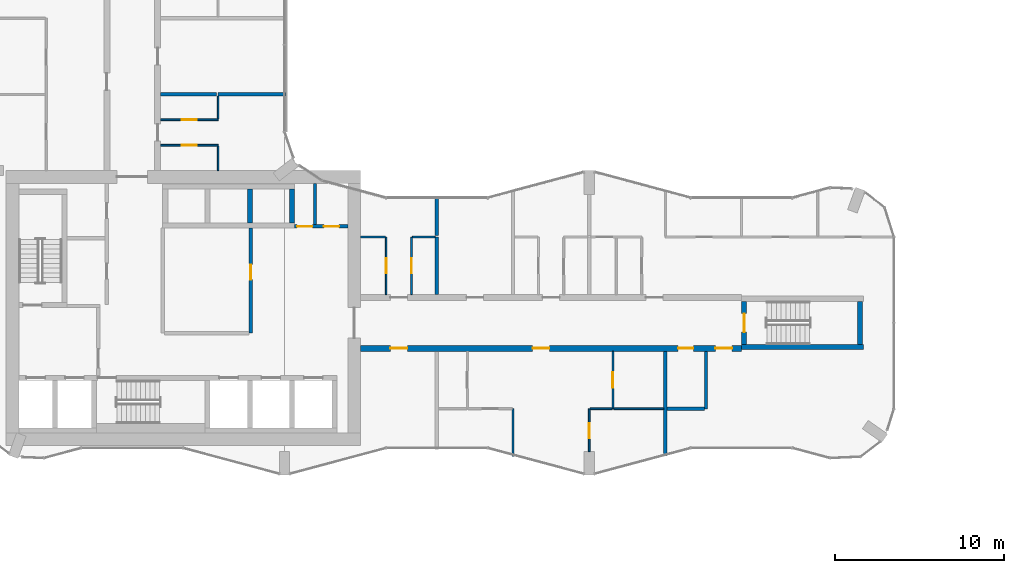
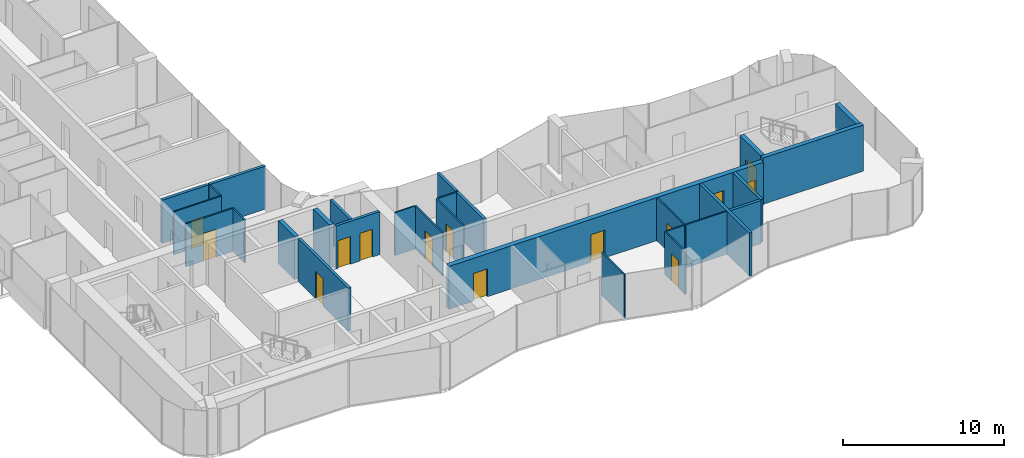
# One storey, part 15 of 24: 29 walls, 14 doors, 14 openings.
"""IFC4 building model written with IfcOpenShell, lengths in metres."""

from ifc_helpers import new_model, si_unit, direction, frame, frame_2d, origin, place, context, subcontext, project, spatial, rectangle, extrude, material, layer, layer_set, type_object, element, fill, save


model = new_model("IFC4")

# Units and contexts
model_context = context("Model", 3, precision=1e-05, world=origin(), true_north=direction((0.0, 1.0)))
body_context = subcontext(model_context, "Body", "Model", "MODEL_VIEW")
ifc_project = project(units=[si_unit("LENGTHUNIT", "METRE"), si_unit("AREAUNIT", "SQUARE_METRE"), si_unit("VOLUMEUNIT", "CUBIC_METRE"), si_unit("PLANEANGLEUNIT", "RADIAN"), si_unit("MASSUNIT", "GRAM", prefix="KILO")], contexts=[model_context])

# Site, building, storey
site_placement = place(None, origin())
site = spatial("IfcSite", under=ifc_project, at=site_placement, CompositionType="ELEMENT")
building_placement = place(site_placement, origin())
building = spatial("IfcBuilding", under=site, at=building_placement, Name="Plateau Cross Towers", CompositionType="ELEMENT")
storey_placement = place(building_placement, frame((0.0, 0.0, 47.800048828125)))
storey = spatial("IfcBuildingStorey", under=building, at=storey_placement, Name="L11", CompositionType="ELEMENT", Elevation=47.800048828125)

# Wall, opening, door
ifc_material_1 = material(Name="Concrete block, plastered both sides", Category="concrete")
ifc_layer_1 = layer(ifc_material_1, 0.199951171875)
ifc_layer_set_1 = layer_set([ifc_layer_1], Name="Concrete block, plastered both sides")
wall_type_1 = type_object("IfcWallType", Name="Core partition 200", PredefinedType="PARTITIONING", material=ifc_layer_set_1)
wall_1_placement = place(storey_placement, frame((16.0, 8.39990234375, 0.0), z_axis=(0.0, 0.0, 1.0), x_axis=(0.0, 1.0, 0.0)))
wall_1 = element("IfcWall", 1, at=wall_1_placement, inside=storey, type_object=wall_type_1, Name="Core partition", PredefinedType="PARTITIONING", context=body_context, shape_type="SweptSolid", body=[
    extrude(rectangle(XDim=6.2001953125, YDim=0.199951171875, at=frame_2d((3.10009765625, 0.0))), origin(), (0.0, 0.0, 1.0), 3.25),
])
opening_1_placement = place(wall_1_placement, frame((3.14990234375, 0.0, 0.0)))
opening_1 = element("IfcOpeningElement", 2, at=opening_1_placement, cuts=wall_1, Name="Opening RD1", PredefinedType="OPENING", context=body_context, shape_type="SweptSolid", body=[
    extrude(rectangle(XDim=0.89990234375, YDim=2.10009765625, at=frame_2d((0.449951171875, 1.050048828125))), frame((0.0, 0.10986328125, 0.0), z_axis=(0.0, -1.0, 0.0), x_axis=(1.0, 0.0, 0.0)), (0.0, 0.0, 1.0), 0.219970703125),
])
ifc_material_2 = material(Name="Timber, fire-resisting leaf", Category="wood")
door_type_1 = type_object("IfcDoorType", Name="Core service door 900", OperationType="NOTDEFINED", PredefinedType="DOOR", material=ifc_material_2)
door_1_placement = place(opening_1_placement, origin())
door_1 = element("IfcDoor", 3, at=door_1_placement, inside=storey, type_object=door_type_1, Name="Core service door RD1", OperationType="SINGLE_SWING_LEFT", OverallHeight=2.10009765625, OverallWidth=0.89990234375, PredefinedType="DOOR", context=body_context, shape_type="SweptSolid", body=[
    extrude(rectangle(XDim=0.89990234375, YDim=2.10009765625, at=frame_2d((0.449951171875, 1.050048828125))), frame((0.0, 0.02490234375, 0.0), z_axis=(0.0, -1.0, 0.0), x_axis=(1.0, 0.0, 0.0)), (0.0, 0.0, 1.0), 0.050048828125),
])
fill(opening_1, door_1)

# Wall, openings, doors
wall_2_placement = place(storey_placement, frame((18.60009765625, 14.699951171875, 0.0), z_axis=(0.0, 0.0, 1.0), x_axis=(1.0, 0.0, 0.0)))
wall_2 = element("IfcWall", 4, at=wall_2_placement, inside=storey, type_object=wall_type_1, Name="Core partition", PredefinedType="PARTITIONING", context=body_context, shape_type="SweptSolid", body=[
    extrude(rectangle(XDim=3.14990234375, YDim=0.199951171875, at=frame_2d((1.574951171875, 0.0))), origin(), (0.0, 0.0, 1.0), 3.25),
])
opening_2_placement = place(wall_2_placement, frame((0.14990234375, 0.0, 0.0)))
opening_2 = element("IfcOpeningElement", 5, at=opening_2_placement, cuts=wall_2, Name="Opening RD2", PredefinedType="OPENING", context=body_context, shape_type="SweptSolid", body=[
    extrude(rectangle(XDim=0.89990234375, YDim=2.10009765625, at=frame_2d((0.449951171875, 1.050048828125))), frame((0.0, 0.10986328125, 0.0), z_axis=(0.0, -1.0, 0.0), x_axis=(1.0, 0.0, 0.0)), (0.0, 0.0, 1.0), 0.219970703125),
])
opening_3_placement = place(wall_2_placement, frame((1.72509765625, 0.0, 0.0)))
opening_3 = element("IfcOpeningElement", 6, at=opening_3_placement, cuts=wall_2, Name="Opening RD2", PredefinedType="OPENING", context=body_context, shape_type="SweptSolid", body=[
    extrude(rectangle(XDim=0.89990234375, YDim=2.10009765625, at=frame_2d((0.449951171875, 1.050048828125))), frame((0.0, 0.10986328125, 0.0), z_axis=(0.0, -1.0, 0.0), x_axis=(1.0, 0.0, 0.0)), (0.0, 0.0, 1.0), 0.219970703125),
])
ifc_material_3 = material(Name="Steel, fire-resisting leaf", Category="steel")
door_type_2 = type_object("IfcDoorType", Name="Core riser door 900", OperationType="NOTDEFINED", PredefinedType="DOOR", material=ifc_material_3)
door_2_placement = place(opening_2_placement, origin())
door_2 = element("IfcDoor", 7, at=door_2_placement, inside=storey, type_object=door_type_2, Name="Core riser door RD2", OperationType="SINGLE_SWING_LEFT", OverallHeight=2.10009765625, OverallWidth=0.89990234375, PredefinedType="DOOR", context=body_context, shape_type="SweptSolid", body=[
    extrude(rectangle(XDim=0.89990234375, YDim=2.10009765625, at=frame_2d((0.449951171875, 1.050048828125))), frame((0.0, 0.02490234375, 0.0), z_axis=(0.0, -1.0, 0.0), x_axis=(1.0, 0.0, 0.0)), (0.0, 0.0, 1.0), 0.050048828125),
])
fill(opening_2, door_2)
door_3_placement = place(opening_3_placement, origin())
door_3 = element("IfcDoor", 8, at=door_3_placement, inside=storey, type_object=door_type_2, Name="Core riser door RD2", OperationType="SINGLE_SWING_LEFT", OverallHeight=2.10009765625, OverallWidth=0.89990234375, PredefinedType="DOOR", context=body_context, shape_type="SweptSolid", body=[
    extrude(rectangle(XDim=0.89990234375, YDim=2.10009765625, at=frame_2d((0.449951171875, 1.050048828125))), frame((0.0, 0.02490234375, 0.0), z_axis=(0.0, -1.0, 0.0), x_axis=(1.0, 0.0, 0.0)), (0.0, 0.0, 1.0), 0.050048828125),
])
fill(opening_3, door_3)

# Walls
wall_3_placement = place(storey_placement, frame((19.800048828125, 14.800048828125, 0.0), z_axis=(0.0, 0.0, 1.0), x_axis=(0.0, 1.0, 0.0)))
element("IfcWall", 9, at=wall_3_placement, inside=storey, type_object=wall_type_1, Name="Core partition", PredefinedType="PARTITIONING", context=body_context, shape_type="SweptSolid", body=[
    extrude(rectangle(XDim=2.449951171875, YDim=0.199951171875, at=frame_2d((1.22509765625, 0.0))), origin(), (0.0, 0.0, 1.0), 3.25),
])
ifc_material_4 = material(Name="Concrete C60/75", Category="concrete")
ifc_layer_2 = layer(ifc_material_4, 0.300048828125)
ifc_layer_set_2 = layer_set([ifc_layer_2], Name="Concrete C60/75")
wall_type_2 = type_object("IfcWallType", Name="Core shaft wall 300", PredefinedType="SHEAR", material=ifc_layer_set_2)
for number, where, z_axis, x_axis, name in (
    (10, (15.949951171875, 14.89990234375, 0.0), (0.0, 0.0, 1.0), (0.0, 1.0, 0.0), "A-nb-v3@L11"),
    (11, (18.449951171875, 14.89990234375, 0.0), (0.0, 0.0, 1.0), (0.0, 1.0, 0.0), "A-nb-v4@L11"),
):
    element("IfcWall", number, at=place(storey_placement, frame(where, z_axis=z_axis, x_axis=x_axis)), inside=storey, type_object=wall_type_2, Name=name, PredefinedType="SHEAR", context=body_context, shape_type="SweptSolid", body=[
        extrude(rectangle(XDim=2.0, YDim=0.300048828125, at=frame_2d((1.0, 0.0))), origin(), (0.0, 0.0, 1.0), 3.25),
    ])

# Wall, openings, doors
ifc_layer_3 = layer(ifc_material_4, 0.35009765625)
ifc_layer_set_3 = layer_set([ifc_layer_3], Name="Concrete C60/75")
wall_type_3 = type_object("IfcWallType", Name="Corridor wall 350", PredefinedType="SHEAR", material=ifc_layer_set_3)
wall_4_placement = place(storey_placement, frame((22.5, 7.5, 0.0), z_axis=(0.0, 0.0, 1.0), x_axis=(1.0, 0.0, 0.0)))
wall_4 = element("IfcWall", 12, at=wall_4_placement, inside=storey, type_object=wall_type_3, Name="A-cw-S1@L11", PredefinedType="SHEAR", context=body_context, shape_type="SweptSolid", body=[
    extrude(rectangle(XDim=22.5, YDim=0.35009765625, at=frame_2d((11.25, 0.0))), origin(), (0.0, 0.0, 1.0), 3.25),
])
opening_4_placement = place(wall_4_placement, frame((1.75, 0.0, 0.0)))
opening_4 = element("IfcOpeningElement", 13, at=opening_4_placement, cuts=wall_4, Name="Opening 11-01", PredefinedType="OPENING", context=body_context, shape_type="SweptSolid", body=[
    extrude(rectangle(XDim=1.0, YDim=2.10009765625, at=frame_2d((0.5, 1.050048828125))), frame((0.0, 0.18505859375, 0.0), z_axis=(0.0, -1.0, 0.0), x_axis=(1.0, 0.0, 0.0)), (0.0, 0.0, 1.0), 0.3701171875),
])
opening_5_placement = place(wall_4_placement, frame((10.14990234375, 0.0, 0.0)))
opening_5 = element("IfcOpeningElement", 14, at=opening_5_placement, cuts=wall_4, Name="Opening 11-02", PredefinedType="OPENING", context=body_context, shape_type="SweptSolid", body=[
    extrude(rectangle(XDim=1.0, YDim=2.10009765625, at=frame_2d((0.5, 1.050048828125))), frame((0.0, 0.18505859375, 0.0), z_axis=(0.0, -1.0, 0.0), x_axis=(1.0, 0.0, 0.0)), (0.0, 0.0, 1.0), 0.3701171875),
])
opening_6_placement = place(wall_4_placement, frame((18.75, 0.0, 0.0)))
opening_6 = element("IfcOpeningElement", 15, at=opening_6_placement, cuts=wall_4, Name="Opening 11-03", PredefinedType="OPENING", context=body_context, shape_type="SweptSolid", body=[
    extrude(rectangle(XDim=0.89990234375, YDim=2.10009765625, at=frame_2d((0.449951171875, 1.050048828125))), frame((0.0, 0.18505859375, 0.0), z_axis=(0.0, -1.0, 0.0), x_axis=(1.0, 0.0, 0.0)), (0.0, 0.0, 1.0), 0.3701171875),
])
opening_7_placement = place(wall_4_placement, frame((20.949951171875, 0.0, 0.0)))
opening_7 = element("IfcOpeningElement", 16, at=opening_7_placement, cuts=wall_4, Name="Opening 11-04", PredefinedType="OPENING", context=body_context, shape_type="SweptSolid", body=[
    extrude(rectangle(XDim=1.0, YDim=2.10009765625, at=frame_2d((0.5, 1.050048828125))), frame((0.0, 0.18505859375, 0.0), z_axis=(0.0, -1.0, 0.0), x_axis=(1.0, 0.0, 0.0)), (0.0, 0.0, 1.0), 0.3701171875),
])
door_type_3 = type_object("IfcDoorType", Name="Flat entrance door 1000", OperationType="NOTDEFINED", PredefinedType="DOOR", material=ifc_material_2)
door_4_placement = place(opening_4_placement, origin())
door_4 = element("IfcDoor", 17, at=door_4_placement, inside=storey, type_object=door_type_3, Name="Door 11-01", OperationType="SINGLE_SWING_LEFT", OverallHeight=2.10009765625, OverallWidth=1.0, PredefinedType="DOOR", context=body_context, shape_type="SweptSolid", body=[
    extrude(rectangle(XDim=1.0, YDim=2.10009765625, at=frame_2d((0.5, 1.050048828125))), frame((0.0, 0.02490234375, 0.0), z_axis=(0.0, -1.0, 0.0), x_axis=(1.0, 0.0, 0.0)), (0.0, 0.0, 1.0), 0.050048828125),
])
fill(opening_4, door_4)
door_5_placement = place(opening_5_placement, origin())
door_5 = element("IfcDoor", 18, at=door_5_placement, inside=storey, type_object=door_type_3, Name="Door 11-02", OperationType="SINGLE_SWING_LEFT", OverallHeight=2.10009765625, OverallWidth=1.0, PredefinedType="DOOR", context=body_context, shape_type="SweptSolid", body=[
    extrude(rectangle(XDim=1.0, YDim=2.10009765625, at=frame_2d((0.5, 1.050048828125))), frame((0.0, 0.02490234375, 0.0), z_axis=(0.0, -1.0, 0.0), x_axis=(1.0, 0.0, 0.0)), (0.0, 0.0, 1.0), 0.050048828125),
])
fill(opening_5, door_5)
door_6_placement = place(opening_7_placement, origin())
door_6 = element("IfcDoor", 19, at=door_6_placement, inside=storey, type_object=door_type_3, Name="Door 11-04", OperationType="SINGLE_SWING_RIGHT", OverallHeight=2.10009765625, OverallWidth=1.0, PredefinedType="DOOR", context=body_context, shape_type="SweptSolid", body=[
    extrude(rectangle(XDim=1.0, YDim=2.10009765625, at=frame_2d((0.5, 1.050048828125))), frame((0.0, 0.02490234375, 0.0), z_axis=(0.0, -1.0, 0.0), x_axis=(1.0, 0.0, 0.0)), (0.0, 0.0, 1.0), 0.050048828125),
])
fill(opening_7, door_6)
door_type_4 = type_object("IfcDoorType", Name="Flat floor service door 900", OperationType="NOTDEFINED", PredefinedType="DOOR", material=ifc_material_2)
door_7_placement = place(opening_6_placement, origin())
door_7 = element("IfcDoor", 20, at=door_7_placement, inside=storey, type_object=door_type_4, Name="Door 11-03", OperationType="SINGLE_SWING_RIGHT", OverallHeight=2.10009765625, OverallWidth=0.89990234375, PredefinedType="DOOR", context=body_context, shape_type="SweptSolid", body=[
    extrude(rectangle(XDim=0.89990234375, YDim=2.10009765625, at=frame_2d((0.449951171875, 1.050048828125))), frame((0.0, 0.02490234375, 0.0), z_axis=(0.0, -1.0, 0.0), x_axis=(1.0, 0.0, 0.0)), (0.0, 0.0, 1.0), 0.050048828125),
])
fill(opening_6, door_7)

# Walls
ifc_material_5 = material(Name="Gypsum board on steel studs", Category="steel")
ifc_layer_4 = layer(ifc_material_5, 0.10009765625)
ifc_layer_set_4 = layer_set([ifc_layer_4], Name="Gypsum board on steel studs")
wall_type_4 = type_object("IfcWallType", Name="Flat partition 100", PredefinedType="PARTITIONING", material=ifc_layer_set_4)
wall_5_placement = place(storey_placement, frame((37.35009765625, 3.925048828125, 0.0), z_axis=(0.0, 0.0, 1.0), x_axis=(-1.0, 0.0, 0.0)))
element("IfcWall", 21, at=wall_5_placement, inside=storey, type_object=wall_type_4, Name="Partition wall", PredefinedType="PARTITIONING", context=body_context, shape_type="SweptSolid", body=[
    extrude(rectangle(XDim=1.300048828125, YDim=0.10009765625, at=frame_2d((0.64990234375, 0.0))), origin(), (0.0, 0.0, 1.0), 3.25),
])
wall_6_placement = place(storey_placement, frame((37.449951171875, 3.925048828125, 0.0), z_axis=(0.0, 0.0, 1.0), x_axis=(1.0, 0.0, 0.0)))
element("IfcWall", 22, at=wall_6_placement, inside=storey, type_object=wall_type_4, Name="Partition wall", PredefinedType="PARTITIONING", context=body_context, shape_type="SweptSolid", body=[
    extrude(rectangle(XDim=2.949951171875, YDim=0.10009765625, at=frame_2d((1.47509765625, 0.0))), origin(), (0.0, 0.0, 1.0), 3.25),
])
wall_7_placement = place(storey_placement, frame((23.949951171875, 14.074951171875, 0.0), z_axis=(0.0, 0.0, 1.0), x_axis=(-1.0, 0.0, 0.0)))
element("IfcWall", 23, at=wall_7_placement, inside=storey, type_object=wall_type_4, Name="Partition wall", PredefinedType="PARTITIONING", context=body_context, shape_type="SweptSolid", body=[
    extrude(rectangle(XDim=1.449951171875, YDim=0.10009765625, at=frame_2d((0.72509765625, 0.0))), origin(), (0.0, 0.0, 1.0), 3.25),
])
wall_8_placement = place(storey_placement, frame((26.89990234375, 14.074951171875, 0.0), z_axis=(0.0, 0.0, 1.0), x_axis=(-1.0, 0.0, 0.0)))
element("IfcWall", 24, at=wall_8_placement, inside=storey, type_object=wall_type_4, Name="Partition wall", PredefinedType="PARTITIONING", context=body_context, shape_type="SweptSolid", body=[
    extrude(rectangle(XDim=1.349853515625, YDim=0.10009765625, at=frame_2d((0.6748046875, 0.0))), origin(), (0.0, 0.0, 1.0), 3.25),
])

# Wall, opening, door
wall_9_placement = place(storey_placement, frame((14.074951171875, 19.5, 0.0), z_axis=(0.0, 0.0, 1.0), x_axis=(-1.0, 0.0, 0.0)))
wall_9 = element("IfcWall", 25, at=wall_9_placement, inside=storey, type_object=wall_type_4, Name="Partition wall", PredefinedType="PARTITIONING", context=body_context, shape_type="SweptSolid", body=[
    extrude(rectangle(XDim=3.39990234375, YDim=0.10009765625, at=frame_2d((1.699951171875, 0.0))), origin(), (0.0, 0.0, 1.0), 3.25),
])
opening_8_placement = place(wall_9_placement, frame((1.25, 0.0, 0.0)))
opening_8 = element("IfcOpeningElement", 26, at=opening_8_placement, cuts=wall_9, Name="Opening 11-40", PredefinedType="OPENING", context=body_context, shape_type="SweptSolid", body=[
    extrude(rectangle(XDim=0.89990234375, YDim=2.10009765625, at=frame_2d((0.449951171875, 1.050048828125))), frame((0.0, 0.06005859375, 0.0), z_axis=(0.0, -1.0, 0.0), x_axis=(1.0, 0.0, 0.0)), (0.0, 0.0, 1.0), 0.1201171875),
])
ifc_material_6 = material(Name="Timber leaf", Category="wood")
door_type_5 = type_object("IfcDoorType", Name="Flat room door 900", OperationType="NOTDEFINED", PredefinedType="DOOR", material=ifc_material_6)
door_8_placement = place(opening_8_placement, origin())
door_8 = element("IfcDoor", 27, at=door_8_placement, inside=storey, type_object=door_type_5, Name="Door 11-40", OperationType="SINGLE_SWING_RIGHT", OverallHeight=2.10009765625, OverallWidth=0.89990234375, PredefinedType="DOOR", context=body_context, shape_type="SweptSolid", body=[
    extrude(rectangle(XDim=0.89990234375, YDim=2.10009765625, at=frame_2d((0.449951171875, 1.050048828125))), frame((0.0, 0.02490234375, 0.0), z_axis=(0.0, -1.0, 0.0), x_axis=(1.0, 0.0, 0.0)), (0.0, 0.0, 1.0), 0.050048828125),
])
fill(opening_8, door_8)

wall_10_placement = place(storey_placement, frame((10.675048828125, 21.0, 0.0), z_axis=(0.0, 0.0, 1.0), x_axis=(1.0, 0.0, 0.0)))
wall_10 = element("IfcWall", 28, at=wall_10_placement, inside=storey, type_object=wall_type_4, Name="Partition wall", PredefinedType="PARTITIONING", context=body_context, shape_type="SweptSolid", body=[
    extrude(rectangle(XDim=3.39990234375, YDim=0.10009765625, at=frame_2d((1.699951171875, 0.0))), origin(), (0.0, 0.0, 1.0), 3.25),
])
opening_9_placement = place(wall_10_placement, frame((1.25, 0.0, 0.0)))
opening_9 = element("IfcOpeningElement", 29, at=opening_9_placement, cuts=wall_10, Name="Opening 11-41", PredefinedType="OPENING", context=body_context, shape_type="SweptSolid", body=[
    extrude(rectangle(XDim=0.89990234375, YDim=2.10009765625, at=frame_2d((0.449951171875, 1.050048828125))), frame((0.0, 0.06005859375, 0.0), z_axis=(0.0, -1.0, 0.0), x_axis=(1.0, 0.0, 0.0)), (0.0, 0.0, 1.0), 0.1201171875),
])
door_9_placement = place(opening_9_placement, origin())
door_9 = element("IfcDoor", 30, at=door_9_placement, inside=storey, type_object=door_type_5, Name="Door 11-41", OperationType="SINGLE_SWING_RIGHT", OverallHeight=2.10009765625, OverallWidth=0.89990234375, PredefinedType="DOOR", context=body_context, shape_type="SweptSolid", body=[
    extrude(rectangle(XDim=0.89990234375, YDim=2.10009765625, at=frame_2d((0.449951171875, 1.050048828125))), frame((0.0, 0.02490234375, 0.0), z_axis=(0.0, -1.0, 0.0), x_axis=(1.0, 0.0, 0.0)), (0.0, 0.0, 1.0), 0.050048828125),
])
fill(opening_9, door_9)

# Walls
wall_11_placement = place(storey_placement, frame((14.074951171875, 18.0, 0.0), z_axis=(0.0, 0.0, 1.0), x_axis=(0.0, 1.0, 0.0)))
element("IfcWall", 31, at=wall_11_placement, inside=storey, type_object=wall_type_4, Name="Partition wall", PredefinedType="PARTITIONING", context=body_context, shape_type="SweptSolid", body=[
    extrude(rectangle(XDim=1.449951171875, YDim=0.10009765625, at=frame_2d((0.72509765625, 0.0))), origin(), (0.0, 0.0, 1.0), 3.25),
])
wall_12_placement = place(storey_placement, frame((14.074951171875, 21.050048828125, 0.0), z_axis=(0.0, 0.0, 1.0), x_axis=(0.0, 1.0, 0.0)))
element("IfcWall", 32, at=wall_12_placement, inside=storey, type_object=wall_type_4, Name="Partition wall", PredefinedType="PARTITIONING", context=body_context, shape_type="SweptSolid", body=[
    extrude(rectangle(XDim=1.349853515625, YDim=0.10009765625, at=frame_2d((0.6748046875, 0.0))), origin(), (0.0, 0.0, 1.0), 3.25),
])

# Wall, opening, door
wall_13_placement = place(storey_placement, frame((24.0, 10.675048828125, 0.0), z_axis=(0.0, 0.0, 1.0), x_axis=(0.0, 1.0, 0.0)))
wall_13 = element("IfcWall", 33, at=wall_13_placement, inside=storey, type_object=wall_type_4, Name="Partition wall", PredefinedType="PARTITIONING", context=body_context, shape_type="SweptSolid", body=[
    extrude(rectangle(XDim=3.39990234375, YDim=0.10009765625, at=frame_2d((1.699951171875, 0.0))), origin(), (0.0, 0.0, 1.0), 3.25),
])
opening_10_placement = place(wall_13_placement, frame((1.25, 0.0, 0.0)))
opening_10 = element("IfcOpeningElement", 34, at=opening_10_placement, cuts=wall_13, Name="Opening 11-23", PredefinedType="OPENING", context=body_context, shape_type="SweptSolid", body=[
    extrude(rectangle(XDim=0.89990234375, YDim=2.10009765625, at=frame_2d((0.449951171875, 1.050048828125))), frame((0.0, 0.06005859375, 0.0), z_axis=(0.0, -1.0, 0.0), x_axis=(1.0, 0.0, 0.0)), (0.0, 0.0, 1.0), 0.1201171875),
])
door_10_placement = place(opening_10_placement, origin())
door_10 = element("IfcDoor", 35, at=door_10_placement, inside=storey, type_object=door_type_5, Name="Door 11-23", OperationType="SINGLE_SWING_RIGHT", OverallHeight=2.10009765625, OverallWidth=0.89990234375, PredefinedType="DOOR", context=body_context, shape_type="SweptSolid", body=[
    extrude(rectangle(XDim=0.89990234375, YDim=2.10009765625, at=frame_2d((0.449951171875, 1.050048828125))), frame((0.0, 0.02490234375, 0.0), z_axis=(0.0, -1.0, 0.0), x_axis=(1.0, 0.0, 0.0)), (0.0, 0.0, 1.0), 0.050048828125),
])
fill(opening_10, door_10)

wall_14_placement = place(storey_placement, frame((25.5, 14.074951171875, 0.0), z_axis=(0.0, 0.0, 1.0), x_axis=(0.0, -1.0, 0.0)))
wall_14 = element("IfcWall", 36, at=wall_14_placement, inside=storey, type_object=wall_type_4, Name="Partition wall", PredefinedType="PARTITIONING", context=body_context, shape_type="SweptSolid", body=[
    extrude(rectangle(XDim=3.39990234375, YDim=0.10009765625, at=frame_2d((1.699951171875, 0.0))), origin(), (0.0, 0.0, 1.0), 3.25),
])
opening_11_placement = place(wall_14_placement, frame((1.25, 0.0, 0.0)))
opening_11 = element("IfcOpeningElement", 37, at=opening_11_placement, cuts=wall_14, Name="Opening 11-24", PredefinedType="OPENING", context=body_context, shape_type="SweptSolid", body=[
    extrude(rectangle(XDim=0.89990234375, YDim=2.10009765625, at=frame_2d((0.449951171875, 1.050048828125))), frame((0.0, 0.06005859375, 0.0), z_axis=(0.0, -1.0, 0.0), x_axis=(1.0, 0.0, 0.0)), (0.0, 0.0, 1.0), 0.1201171875),
])
door_11_placement = place(opening_11_placement, origin())
door_11 = element("IfcDoor", 38, at=door_11_placement, inside=storey, type_object=door_type_5, Name="Door 11-24", OperationType="SINGLE_SWING_RIGHT", OverallHeight=2.10009765625, OverallWidth=0.89990234375, PredefinedType="DOOR", context=body_context, shape_type="SweptSolid", body=[
    extrude(rectangle(XDim=0.89990234375, YDim=2.10009765625, at=frame_2d((0.449951171875, 1.050048828125))), frame((0.0, 0.02490234375, 0.0), z_axis=(0.0, -1.0, 0.0), x_axis=(1.0, 0.0, 0.0)), (0.0, 0.0, 1.0), 0.050048828125),
])
fill(opening_11, door_11)

# Wall
wall_15_placement = place(storey_placement, frame((31.5, 1.122314453125, 0.0), z_axis=(0.0, 0.0, 1.0), x_axis=(0.0, 1.0, 0.0)))
element("IfcWall", 39, at=wall_15_placement, inside=storey, type_object=wall_type_4, Name="Partition wall", PredefinedType="PARTITIONING", context=body_context, shape_type="SweptSolid", body=[
    extrude(rectangle(XDim=2.802734375, YDim=0.10009765625, at=frame_2d((1.4013671875, 0.0))), origin(), (0.0, 0.0, 1.0), 3.25),
])

# Wall, opening, door
wall_16_placement = place(storey_placement, frame((36.0, 3.925048828125, 0.0), z_axis=(0.0, 0.0, 1.0), x_axis=(0.0, -1.0, 0.0)))
wall_16 = element("IfcWall", 40, at=wall_16_placement, inside=storey, type_object=wall_type_4, Name="Partition wall", PredefinedType="PARTITIONING", context=body_context, shape_type="SweptSolid", body=[
    extrude(rectangle(XDim=2.525146484375, YDim=0.10009765625, at=frame_2d((1.2626953125, 0.0))), origin(), (0.0, 0.0, 1.0), 3.25),
])
opening_12_placement = place(wall_16_placement, frame((0.85009765625, 0.0, 0.0)))
opening_12 = element("IfcOpeningElement", 41, at=opening_12_placement, cuts=wall_16, Name="Opening 11-22", PredefinedType="OPENING", context=body_context, shape_type="SweptSolid", body=[
    extrude(rectangle(XDim=0.89990234375, YDim=2.10009765625, at=frame_2d((0.449951171875, 1.050048828125))), frame((0.0, 0.06005859375, 0.0), z_axis=(0.0, -1.0, 0.0), x_axis=(1.0, 0.0, 0.0)), (0.0, 0.0, 1.0), 0.1201171875),
])
door_12_placement = place(opening_12_placement, origin())
door_12 = element("IfcDoor", 42, at=door_12_placement, inside=storey, type_object=door_type_5, Name="Door 11-22", OperationType="SINGLE_SWING_RIGHT", OverallHeight=2.10009765625, OverallWidth=0.89990234375, PredefinedType="DOOR", context=body_context, shape_type="SweptSolid", body=[
    extrude(rectangle(XDim=0.89990234375, YDim=2.10009765625, at=frame_2d((0.449951171875, 1.050048828125))), frame((0.0, 0.02490234375, 0.0), z_axis=(0.0, -1.0, 0.0), x_axis=(1.0, 0.0, 0.0)), (0.0, 0.0, 1.0), 0.050048828125),
])
fill(opening_12, door_12)

wall_17_placement = place(storey_placement, frame((37.39990234375, 7.324951171875, 0.0), z_axis=(0.0, 0.0, 1.0), x_axis=(0.0, -1.0, 0.0)))
wall_17 = element("IfcWall", 43, at=wall_17_placement, inside=storey, type_object=wall_type_4, Name="Partition wall", PredefinedType="PARTITIONING", context=body_context, shape_type="SweptSolid", body=[
    extrude(rectangle(XDim=3.39990234375, YDim=0.10009765625, at=frame_2d((1.699951171875, 0.0))), origin(), (0.0, 0.0, 1.0), 3.25),
])
opening_13_placement = place(wall_17_placement, frame((1.25, 0.0, 0.0)))
opening_13 = element("IfcOpeningElement", 44, at=opening_13_placement, cuts=wall_17, Name="Opening 11-20", PredefinedType="OPENING", context=body_context, shape_type="SweptSolid", body=[
    extrude(rectangle(XDim=0.89990234375, YDim=2.10009765625, at=frame_2d((0.449951171875, 1.050048828125))), frame((0.0, 0.06005859375, 0.0), z_axis=(0.0, -1.0, 0.0), x_axis=(1.0, 0.0, 0.0)), (0.0, 0.0, 1.0), 0.1201171875),
])
door_13_placement = place(opening_13_placement, origin())
door_13 = element("IfcDoor", 45, at=door_13_placement, inside=storey, type_object=door_type_5, Name="Door 11-20", OperationType="SINGLE_SWING_LEFT", OverallHeight=2.10009765625, OverallWidth=0.89990234375, PredefinedType="DOOR", context=body_context, shape_type="SweptSolid", body=[
    extrude(rectangle(XDim=0.89990234375, YDim=2.10009765625, at=frame_2d((0.449951171875, 1.050048828125))), frame((0.0, 0.02490234375, 0.0), z_axis=(0.0, -1.0, 0.0), x_axis=(1.0, 0.0, 0.0)), (0.0, 0.0, 1.0), 0.050048828125),
])
fill(opening_13, door_13)

# Walls
ifc_material_7 = material(Name="Gypsum board on steel studs, two layers each side", Category="steel")
ifc_layer_5 = layer(ifc_material_7, 0.199951171875)
ifc_layer_set_5 = layer_set([ifc_layer_5], Name="Gypsum board on steel studs, two layers each side")
wall_type_5 = type_object("IfcWallType", Name="Flat party wall 200", PredefinedType="PARTITIONING", material=ifc_layer_set_5)
wall_18_placement = place(storey_placement, frame((40.60009765625, 3.925048828125, 0.0), z_axis=(0.0, 0.0, 1.0), x_axis=(1.0, 0.0, 0.0)))
element("IfcWall", 46, at=wall_18_placement, inside=storey, type_object=wall_type_5, Name="Party wall", PredefinedType="PARTITIONING", context=body_context, shape_type="SweptSolid", body=[
    extrude(rectangle(XDim=2.199951171875, YDim=0.199951171875, at=frame_2d((1.10009765625, 0.0))), origin(), (0.0, 0.0, 1.0), 3.25),
])
wall_19_placement = place(storey_placement, frame((13.97509765625, 22.5, 0.0), z_axis=(0.0, 0.0, 1.0), x_axis=(-1.0, 0.0, 0.0)))
element("IfcWall", 47, at=wall_19_placement, inside=storey, type_object=wall_type_5, Name="Party wall", PredefinedType="PARTITIONING", context=body_context, shape_type="SweptSolid", body=[
    extrude(rectangle(XDim=3.300048828125, YDim=0.199951171875, at=frame_2d((1.64990234375, 0.0))), origin(), (0.0, 0.0, 1.0), 3.25),
])
wall_20_placement = place(storey_placement, frame((14.074951171875, 22.5, 0.0), z_axis=(0.0, 0.0, 1.0), x_axis=(1.0, 0.0, 0.0)))
element("IfcWall", 48, at=wall_20_placement, inside=storey, type_object=wall_type_5, Name="Party wall", PredefinedType="PARTITIONING", context=body_context, shape_type="SweptSolid", body=[
    extrude(rectangle(XDim=4.005126953125, YDim=0.199951171875, at=frame_2d((2.00244140625, 0.0))), origin(), (0.0, 0.0, 1.0), 3.25),
])
wall_21_placement = place(storey_placement, frame((27.0, 16.47314453125, 0.0), z_axis=(0.0, 0.0, 1.0), x_axis=(0.0, -1.0, 0.0)))
element("IfcWall", 49, at=wall_21_placement, inside=storey, type_object=wall_type_5, Name="Party wall", PredefinedType="PARTITIONING", context=body_context, shape_type="SweptSolid", body=[
    extrude(rectangle(XDim=2.298095703125, YDim=0.199951171875, at=frame_2d((1.14892578125, 0.0))), origin(), (0.0, 0.0, 1.0), 3.25),
])
wall_22_placement = place(storey_placement, frame((27.0, 10.675048828125, 0.0), z_axis=(0.0, 0.0, 1.0), x_axis=(0.0, 1.0, 0.0)))
element("IfcWall", 50, at=wall_22_placement, inside=storey, type_object=wall_type_5, Name="Party wall", PredefinedType="PARTITIONING", context=body_context, shape_type="SweptSolid", body=[
    extrude(rectangle(XDim=3.39990234375, YDim=0.199951171875, at=frame_2d((1.699951171875, 0.0))), origin(), (0.0, 0.0, 1.0), 3.25),
])
wall_23_placement = place(storey_placement, frame((40.5, 1.122314453125, 0.0), z_axis=(0.0, 0.0, 1.0), x_axis=(0.0, 1.0, 0.0)))
element("IfcWall", 51, at=wall_23_placement, inside=storey, type_object=wall_type_5, Name="Party wall", PredefinedType="PARTITIONING", context=body_context, shape_type="SweptSolid", body=[
    extrude(rectangle(XDim=6.20263671875, YDim=0.199951171875, at=frame_2d((3.101318359375, 0.0))), origin(), (0.0, 0.0, 1.0), 3.25),
])
wall_24_placement = place(storey_placement, frame((42.89990234375, 3.925048828125, 0.0), z_axis=(0.0, 0.0, 1.0), x_axis=(0.0, 1.0, 0.0)))
element("IfcWall", 52, at=wall_24_placement, inside=storey, type_object=wall_type_5, Name="Party wall", PredefinedType="PARTITIONING", context=body_context, shape_type="SweptSolid", body=[
    extrude(rectangle(XDim=3.39990234375, YDim=0.199951171875, at=frame_2d((1.699951171875, 0.0))), origin(), (0.0, 0.0, 1.0), 3.25),
])

# Wall, opening, door
ifc_layer_6 = layer(ifc_material_4, 0.300048828125)
ifc_layer_set_6 = layer_set([ifc_layer_6], Name="Concrete C60/75")
wall_type_6 = type_object("IfcWallType", Name="Stair tower wall 300", PredefinedType="SHEAR", material=ifc_layer_set_6)
wall_25_placement = place(storey_placement, frame((45.14990234375, 7.72509765625, 0.0), z_axis=(0.0, 0.0, 1.0), x_axis=(0.0, 1.0, 0.0)))
wall_25 = element("IfcWall", 53, at=wall_25_placement, inside=storey, type_object=wall_type_6, Name="A-end-E-W@L11", PredefinedType="SHEAR", context=body_context, shape_type="SweptSolid", body=[
    extrude(rectangle(XDim=2.5498046875, YDim=0.300048828125, at=frame_2d((1.27490234375, 0.0))), origin(), (0.0, 0.0, 1.0), 3.5),
])
opening_14_placement = place(wall_25_placement, frame((0.72509765625, 0.0, 0.0)))
opening_14 = element("IfcOpeningElement", 54, at=opening_14_placement, cuts=wall_25, Name="Opening SD", PredefinedType="OPENING", context=body_context, shape_type="SweptSolid", body=[
    extrude(rectangle(XDim=1.10009765625, YDim=2.10009765625, at=frame_2d((0.550048828125, 1.050048828125))), frame((0.0, 0.159912109375, 0.0), z_axis=(0.0, -1.0, 0.0), x_axis=(1.0, 0.0, 0.0)), (0.0, 0.0, 1.0), 0.320068359375),
])
door_type_6 = type_object("IfcDoorType", Name="Stair door 1100", OperationType="NOTDEFINED", PredefinedType="DOOR", material=ifc_material_3)
door_14_placement = place(opening_14_placement, origin())
door_14 = element("IfcDoor", 55, at=door_14_placement, inside=storey, type_object=door_type_6, Name="Stair door SD", OperationType="SINGLE_SWING_LEFT", OverallHeight=2.10009765625, OverallWidth=1.10009765625, PredefinedType="DOOR", context=body_context, shape_type="SweptSolid", body=[
    extrude(rectangle(XDim=1.10009765625, YDim=2.10009765625, at=frame_2d((0.550048828125, 1.050048828125))), frame((0.0, 0.02490234375, 0.0), z_axis=(0.0, -1.0, 0.0), x_axis=(1.0, 0.0, 0.0)), (0.0, 0.0, 1.0), 0.050048828125),
])
fill(opening_14, door_14)

# Walls
wall_26_placement = place(storey_placement, frame((52.0, 7.72509765625, 0.0), z_axis=(0.0, 0.0, 1.0), x_axis=(0.0, 1.0, 0.0)))
element("IfcWall", 56, at=wall_26_placement, inside=storey, type_object=wall_type_6, Name="A-end-E-E@L11", PredefinedType="SHEAR", context=body_context, shape_type="SweptSolid", body=[
    extrude(rectangle(XDim=2.5498046875, YDim=0.300048828125, at=frame_2d((1.27490234375, 0.0))), origin(), (0.0, 0.0, 1.0), 3.5),
])
wall_27_placement = place(storey_placement, frame((45.0, 7.574951171875, 0.0), z_axis=(0.0, 0.0, 1.0), x_axis=(1.0, 0.0, 0.0)))
element("IfcWall", 57, at=wall_27_placement, inside=storey, type_object=wall_type_6, Name="A-end-E-S@L11", PredefinedType="SHEAR", context=body_context, shape_type="SweptSolid", body=[
    extrude(rectangle(XDim=7.199951171875, YDim=0.300048828125, at=frame_2d((3.60009765625, 0.0))), origin(), (0.0, 0.0, 1.0), 3.5),
])

save(model, "model.ifc")
